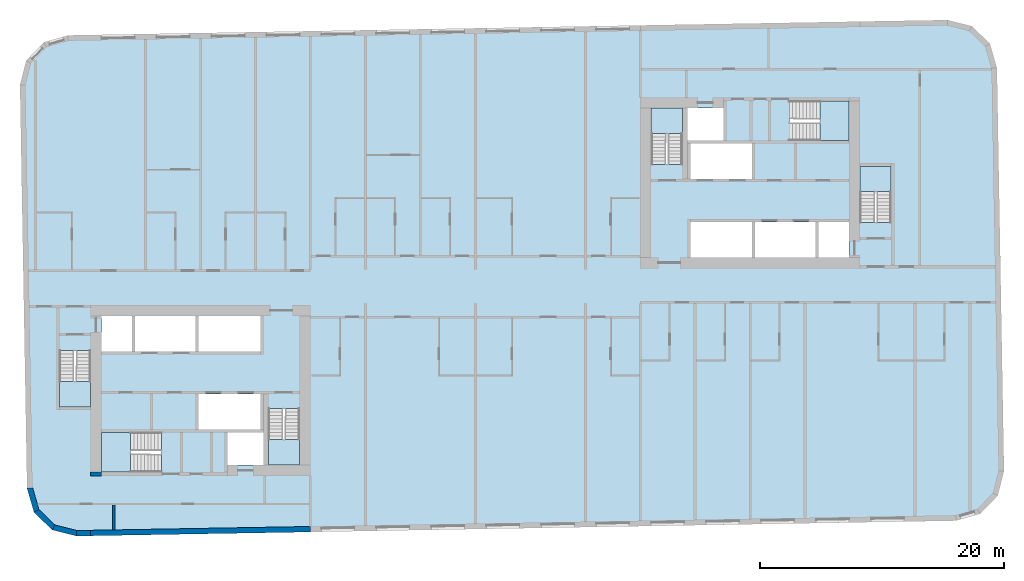
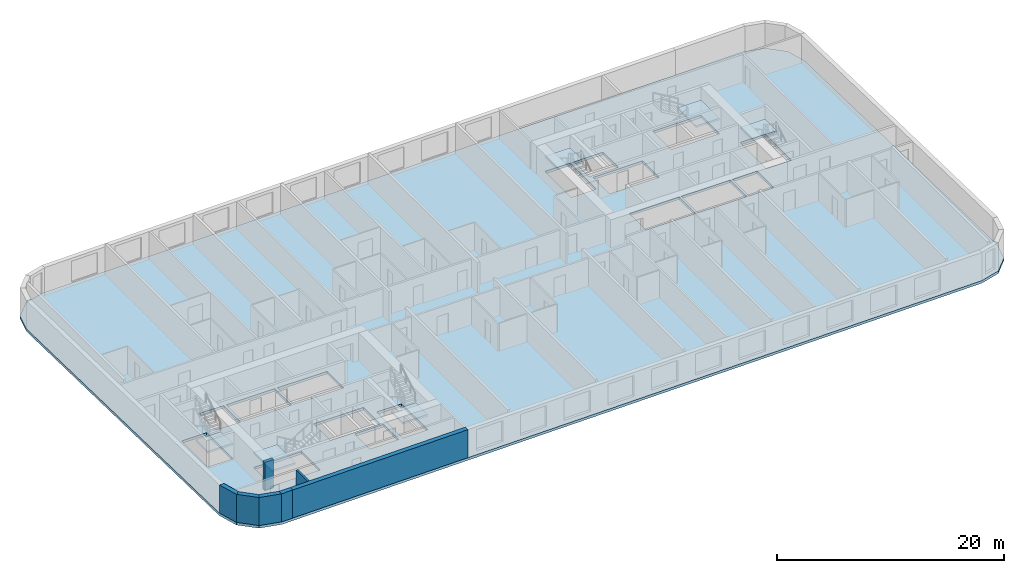
# One storey, part 1 of 11: 7 slabs, 7 walls, 6 elements without a shape of their own.
"""IFC4 building model written with IfcOpenShell, lengths in metres."""

from ifc_helpers import new_model, si_unit, direction, frame, frame_2d, origin, place, context, subcontext, project, spatial, polyline, rectangle, outline, extrude, material, layer, layer_set, type_object, element, aggregate, save


model = new_model("IFC4")

# Units and contexts
model_context = context("Model", 3, precision=1e-05, world=origin(), true_north=direction((0.0, 1.0)))
body_context = subcontext(model_context, "Body", "Model", "MODEL_VIEW")
ifc_project = project(units=[si_unit("LENGTHUNIT", "METRE"), si_unit("AREAUNIT", "SQUARE_METRE"), si_unit("VOLUMEUNIT", "CUBIC_METRE"), si_unit("PLANEANGLEUNIT", "RADIAN"), si_unit("MASSUNIT", "GRAM", prefix="KILO")], contexts=[model_context])

# Site, building, storey
site_placement = place(None, origin())
site = spatial("IfcSite", under=ifc_project, at=site_placement, CompositionType="ELEMENT")
building_placement = place(site_placement, origin())
building = spatial("IfcBuilding", under=site, at=building_placement, Name="Kajstack Hotel Tower", CompositionType="ELEMENT")
storey_placement = place(building_placement, frame((0.0, 0.0, 250.699951171875)))
storey = spatial("IfcBuildingStorey", under=building, at=storey_placement, Name="L62", CompositionType="ELEMENT", Elevation=250.699951171875)

# Slab
ifc_material_1 = material(Name="Concrete C40/50", Category="concrete")
ifc_layer_1 = layer(ifc_material_1, 0.280029296875)
ifc_layer_set_1 = layer_set([ifc_layer_1], Name="RC slab 280 C40/50 guest")
slab_type_1 = type_object("IfcSlabType", Name="RC slab 280 C40/50 guest", PredefinedType="FLOOR", material=ifc_layer_set_1)
slab_1_placement = place(storey_placement, frame((0.0, 0.0, -0.280029296875)))
element("IfcSlab", 1, at=slab_1_placement, inside=storey, type_object=slab_type_1, Name="S-slab-L62", PredefinedType="FLOOR", context=body_context, shape_type="SweptSolid", body=[
    extrude(outline(polyline([(-37.281982421875, 16.49951171875), (-36.705810546875, -16.49560546875), (-36.13525390625, -18.48583984375), (-34.645751953125, -19.92431640625), (-32.63671875, -20.42529296875), (39.352294921875, -19.168701171875), (41.342529296875, -18.597900390625), (42.781005859375, -17.1083984375), (43.281982421875, -15.099365234375), (42.705810546875, 17.8955078125), (42.13525390625, 19.885986328125), (40.645751953125, 21.32421875), (38.63671875, 21.8251953125), (-33.352294921875, 20.568603515625), (-35.342529296875, 19.997802734375), (-36.781005859375, 18.50830078125), (-37.281982421875, 16.49951171875)]), holes=[polyline([(-22.64990234375, -11.699951171875), (-22.64990234375, -8.800048828125), (-17.60009765625, -8.800048828125), (-17.60009765625, -11.699951171875), (-22.64990234375, -11.699951171875)]), polyline([(-27.85009765625, -5.300048828125), (-27.85009765625, -2.39990234375), (-22.89990234375, -2.39990234375), (-22.89990234375, -5.300048828125), (-27.85009765625, -5.300048828125)]), polyline([(-22.64990234375, -5.300048828125), (-22.64990234375, -2.39990234375), (-17.60009765625, -2.39990234375), (-17.60009765625, -5.300048828125), (-22.64990234375, -5.300048828125)]), polyline([(-20.300048828125, -14.60009765625), (-17.35009765625, -14.60009765625), (-17.35009765625, -11.949951171875), (-20.300048828125, -11.949951171875), (-20.300048828125, -14.60009765625)]), polyline([(-30.60009765625, -5.300048828125), (-28.10009765625, -5.300048828125), (-28.10009765625, -2.39990234375), (-30.60009765625, -2.39990234375), (-30.60009765625, -5.300048828125)]), polyline([(17.60009765625, 8.800048828125), (17.60009765625, 11.699951171875), (22.64990234375, 11.699951171875), (22.64990234375, 8.800048828125), (17.60009765625, 8.800048828125)]), polyline([(22.89990234375, 2.39990234375), (22.89990234375, 5.300048828125), (27.85009765625, 5.300048828125), (27.85009765625, 2.39990234375), (22.89990234375, 2.39990234375)]), polyline([(17.60009765625, 2.39990234375), (17.60009765625, 5.300048828125), (22.64990234375, 5.300048828125), (22.64990234375, 2.39990234375), (17.60009765625, 2.39990234375)]), polyline([(20.300048828125, 14.60009765625), (17.35009765625, 14.60009765625), (17.35009765625, 11.949951171875), (20.300048828125, 11.949951171875), (20.300048828125, 14.60009765625)]), polyline([(30.60009765625, 5.300048828125), (28.10009765625, 5.300048828125), (28.10009765625, 2.39990234375), (30.60009765625, 2.39990234375), (30.60009765625, 5.300048828125)]), polyline([(-34.050048828125, -9.85009765625), (-31.5, -9.85009765625), (-31.5, -5.25), (-34.050048828125, -5.25), (-34.050048828125, -9.85009765625)]), polyline([(-16.949951171875, -14.60009765625), (-14.39990234375, -14.60009765625), (-14.39990234375, -10.0), (-16.949951171875, -10.0), (-16.949951171875, -14.60009765625)]), polyline([(-30.60009765625, -15.199951171875), (-25.699951171875, -15.199951171875), (-25.699951171875, -11.949951171875), (-30.60009765625, -11.949951171875), (-30.60009765625, -15.199951171875)]), polyline([(34.050048828125, 9.85009765625), (31.5, 9.85009765625), (31.5, 5.25), (34.050048828125, 5.25), (34.050048828125, 9.85009765625)]), polyline([(16.949951171875, 14.60009765625), (14.39990234375, 14.60009765625), (14.39990234375, 10.0), (16.949951171875, 10.0), (16.949951171875, 14.60009765625)]), polyline([(30.60009765625, 15.199951171875), (25.699951171875, 15.199951171875), (25.699951171875, 11.949951171875), (30.60009765625, 11.949951171875), (30.60009765625, 15.199951171875)])]), origin(), (0.0, 0.0, 1.0), 0.280029296875),
])

# Stair, slab
stair_type_1 = type_object("IfcStairType", Name="Exit stair 1200", PredefinedType="HALF_TURN_STAIR", material=ifc_material_1)
stair_1_placement = place(storey_placement, origin())
stair_1 = element("IfcStair", 2, at=stair_1_placement, inside=storey, type_object=stair_type_1, Name="L62 stair W1", PredefinedType="HALF_TURN_STAIR")
ifc_layer_2 = layer(ifc_material_1, 0.199951171875)
ifc_layer_set_2 = layer_set([ifc_layer_2], Name="Stair landing 200")
slab_type_2 = type_object("IfcSlabType", Name="Stair landing 200", PredefinedType="LANDING", material=ifc_layer_set_2)
slab_2_placement = place(storey_placement, frame((0.0, 0.0, 1.449951171875)))
slab_2 = element("IfcSlab", 3, at=slab_2_placement, type_object=slab_type_2, Name="W1 landing 1", PredefinedType="LANDING", context=body_context, shape_type="SweptSolid", body=[
    extrude(outline(polyline([(-34.050048828125, -7.77001953125), (-34.050048828125, -9.85009765625), (-31.5, -9.85009765625), (-31.5, -7.77001953125), (-34.050048828125, -7.77001953125)])), origin(), (0.0, 0.0, 1.0), 0.2001953125),
])
aggregate(stair_1, [slab_2])

stair_2_placement = place(storey_placement, origin())
stair_2 = element("IfcStair", 4, at=stair_2_placement, inside=storey, type_object=stair_type_1, Name="L62 stair W2", PredefinedType="HALF_TURN_STAIR")
slab_3_placement = place(storey_placement, frame((0.0, 0.0, 1.449951171875)))
slab_3 = element("IfcSlab", 5, at=slab_3_placement, type_object=slab_type_2, Name="W2 landing 1", PredefinedType="LANDING", context=body_context, shape_type="SweptSolid", body=[
    extrude(outline(polyline([(-16.949951171875, -12.52001953125), (-16.949951171875, -14.60009765625), (-14.39990234375, -14.60009765625), (-14.39990234375, -12.52001953125), (-16.949951171875, -12.52001953125)])), origin(), (0.0, 0.0, 1.0), 0.2001953125),
])
aggregate(stair_2, [slab_3])

stair_type_2 = type_object("IfcStairType", Name="Exit stair 1500", PredefinedType="HALF_TURN_STAIR", material=ifc_material_1)
stair_3_placement = place(storey_placement, origin())
stair_3 = element("IfcStair", 6, at=stair_3_placement, inside=storey, type_object=stair_type_2, Name="L62 stair W3", PredefinedType="HALF_TURN_STAIR")
slab_4_placement = place(storey_placement, frame((0.0, 0.0, 1.449951171875)))
slab_4 = element("IfcSlab", 7, at=slab_4_placement, type_object=slab_type_2, Name="W3 landing 1", PredefinedType="LANDING", context=body_context, shape_type="SweptSolid", body=[
    extrude(outline(polyline([(-28.219970703125, -11.949951171875), (-30.60009765625, -11.949951171875), (-30.60009765625, -15.199951171875), (-28.219970703125, -15.199951171875), (-28.219970703125, -11.949951171875)])), origin(), (0.0, 0.0, 1.0), 0.2001953125),
])
aggregate(stair_3, [slab_4])

stair_4_placement = place(storey_placement, origin())
stair_4 = element("IfcStair", 8, at=stair_4_placement, inside=storey, type_object=stair_type_1, Name="L62 stair E1", PredefinedType="HALF_TURN_STAIR")
slab_5_placement = place(storey_placement, frame((0.0, 0.0, 1.449951171875)))
slab_5 = element("IfcSlab", 9, at=slab_5_placement, type_object=slab_type_2, Name="E1 landing 1", PredefinedType="LANDING", context=body_context, shape_type="SweptSolid", body=[
    extrude(outline(polyline([(34.050048828125, 7.77001953125), (34.050048828125, 9.85009765625), (31.5, 9.85009765625), (31.5, 7.77001953125), (34.050048828125, 7.77001953125)])), origin(), (0.0, 0.0, 1.0), 0.2001953125),
])
aggregate(stair_4, [slab_5])

stair_5_placement = place(storey_placement, origin())
stair_5 = element("IfcStair", 10, at=stair_5_placement, inside=storey, type_object=stair_type_1, Name="L62 stair E2", PredefinedType="HALF_TURN_STAIR")
slab_6_placement = place(storey_placement, frame((0.0, 0.0, 1.449951171875)))
slab_6 = element("IfcSlab", 11, at=slab_6_placement, type_object=slab_type_2, Name="E2 landing 1", PredefinedType="LANDING", context=body_context, shape_type="SweptSolid", body=[
    extrude(outline(polyline([(16.949951171875, 12.52001953125), (16.949951171875, 14.60009765625), (14.39990234375, 14.60009765625), (14.39990234375, 12.52001953125), (16.949951171875, 12.52001953125)])), origin(), (0.0, 0.0, 1.0), 0.2001953125),
])
aggregate(stair_5, [slab_6])

stair_6_placement = place(storey_placement, origin())
stair_6 = element("IfcStair", 12, at=stair_6_placement, inside=storey, type_object=stair_type_2, Name="L62 stair E3", PredefinedType="HALF_TURN_STAIR")
slab_7_placement = place(storey_placement, frame((0.0, 0.0, 1.449951171875)))
slab_7 = element("IfcSlab", 13, at=slab_7_placement, type_object=slab_type_2, Name="E3 landing 1", PredefinedType="LANDING", context=body_context, shape_type="SweptSolid", body=[
    extrude(outline(polyline([(28.219970703125, 11.949951171875), (30.60009765625, 11.949951171875), (30.60009765625, 15.199951171875), (28.219970703125, 15.199951171875), (28.219970703125, 11.949951171875)])), origin(), (0.0, 0.0, 1.0), 0.2001953125),
])
aggregate(stair_6, [slab_7])

# Walls
ifc_material_2 = material(Name="Concrete C60/75", Category="concrete")
ifc_layer_3 = layer(ifc_material_2, 0.89990234375)
ifc_layer_set_3 = layer_set([ifc_layer_3], Name="Core wall 900")
wall_type_1 = type_object("IfcWallType", Name="Core wall 900", PredefinedType="SHEAR", material=ifc_layer_set_3)
wall_1_placement = place(storey_placement, frame((-31.5, -15.35009765625, 0.0), z_axis=(0.0, 0.0, 1.0), x_axis=(1.0, 0.0, 0.0)))
element("IfcWall", 14, at=wall_1_placement, inside=storey, type_object=wall_type_1, Name="Core wall W RSW", PredefinedType="SHEAR", context=body_context, shape_type="SweptSolid", body=[
    extrude(rectangle(XDim=0.89990234375, YDim=0.300048828125, at=frame_2d((0.449951171875, 0.0))), origin(), (0.0, 0.0, 1.0), 3.02001953125),
])
ifc_layer_4 = layer(ifc_material_1, 0.449951171875)
ifc_layer_set_4 = layer_set([ifc_layer_4], Name="EW-CORE")
wall_type_2 = type_object("IfcWallType", Name="EW-CORE", PredefinedType="SOLIDWALL", material=ifc_layer_set_4)
wall_2_placement = place(storey_placement, frame((-31.50390625, -20.180419921875, 0.0), z_axis=(0.0, 0.0, 1.0), x_axis=(0.999847677887, 0.017453395744, 0.0)))
element("IfcWall", 15, at=wall_2_placement, inside=storey, type_object=wall_type_2, Name="E-wall-L62-04-01", PredefinedType="SOLIDWALL", context=body_context, shape_type="SweptSolid", body=[
    extrude(rectangle(XDim=18.002685546875, YDim=0.449951171875, at=frame_2d((9.00146484375, 0.0))), origin(), (0.0, 0.0, 1.0), 3.02001953125),
])
ifc_material_3 = material(Name="Terracotta-faced brick masonry", Category="masonry")
ifc_layer_5 = layer(ifc_material_3, 0.449951171875)
ifc_layer_set_5 = layer_set([ifc_layer_5], Name="EW-TERRA")
wall_type_3 = type_object("IfcWallType", Name="EW-TERRA", PredefinedType="SOLIDWALL", material=ifc_layer_set_5)
wall_3_placement = place(storey_placement, frame((-36.489501953125, -16.43359375, 0.0), z_axis=(0.0, 0.0, 1.0), x_axis=(0.275577603096, -0.961278827745, 0.0)))
element("IfcWall", 16, at=wall_3_placement, inside=storey, type_object=wall_type_3, Name="E-wall-L62-01-00", PredefinedType="SOLIDWALL", context=body_context, shape_type="SweptSolid", body=[
    extrude(outline(polyline([(0.0, -0.22509765625), (2.070556640625, -0.22509765625), (1.949951171875, 0.22509765625), (0.12060546875, 0.224853515625), (0.0, -0.22509765625)])), origin(), (0.0, 0.0, 1.0), 3.02001953125),
])
wall_4_placement = place(storey_placement, frame((-35.97900390625, -18.323974609375, 0.0), z_axis=(0.0, 0.0, 1.0), x_axis=(0.719320193998, -0.694678672846, 0.0)))
element("IfcWall", 17, at=wall_4_placement, inside=storey, type_object=wall_type_3, Name="E-wall-L62-02-00", PredefinedType="SOLIDWALL", context=body_context, shape_type="SweptSolid", body=[
    extrude(outline(polyline([(0.000244140625, -0.22509765625), (2.07080078125, -0.22509765625), (1.9501953125, 0.22509765625), (0.12060546875, 0.22509765625), (0.000244140625, -0.22509765625)])), origin(), (0.0, 0.0, 1.0), 3.02001953125),
])
wall_5_placement = place(storey_placement, frame((-34.59130859375, -19.7060546875, 0.0), z_axis=(0.0, 0.0, 1.0), x_axis=(0.970315655375, -0.241841950319, 0.0)))
element("IfcWall", 18, at=wall_5_placement, inside=storey, type_object=wall_type_3, Name="E-wall-L62-03-00", PredefinedType="SOLIDWALL", context=body_context, shape_type="SweptSolid", body=[
    extrude(outline(polyline([(0.0, -0.224853515625), (2.070556640625, -0.22509765625), (1.949951171875, 0.224853515625), (0.12060546875, 0.22509765625), (0.0, -0.224853515625)])), origin(), (0.0, 0.0, 1.0), 3.02001953125),
])
wall_6_placement = place(storey_placement, frame((-32.640625, -20.2001953125, 0.0), z_axis=(0.0, 0.0, 1.0), x_axis=(0.99984870815, 0.017394275206, 0.0)))
element("IfcWall", 19, at=wall_6_placement, inside=storey, type_object=wall_type_3, Name="E-wall-L62-04-00", PredefinedType="SOLIDWALL", context=body_context, shape_type="SweptSolid", body=[
    extrude(rectangle(XDim=1.136962890625, YDim=0.449951171875, at=frame_2d((0.568359375, 0.0))), origin(), (0.0, 0.0, 1.0), 3.02001953125),
])
ifc_material_4 = material(Name="Gypsum board on steel studs, mineral wool", Category="steel")
ifc_layer_6 = layer(ifc_material_4, 0.199951171875)
ifc_layer_set_6 = layer_set([ifc_layer_6], Name="Service partition 200")
wall_type_4 = type_object("IfcWallType", Name="Service partition 200", PredefinedType="PARTITIONING", material=ifc_layer_set_6)
wall_7_placement = place(storey_placement, frame((-29.60009765625, -19.92236328125, 0.0), z_axis=(0.0, 0.0, 1.0), x_axis=(0.0, 1.0, 0.0)))
element("IfcWall", 20, at=wall_7_placement, inside=storey, type_object=wall_type_4, Name="Partition W SLP0", PredefinedType="PARTITIONING", context=body_context, shape_type="SweptSolid", body=[
    extrude(rectangle(XDim=2.0224609375, YDim=0.199951171875, at=frame_2d((1.01123046875, 0.0))), origin(), (0.0, 0.0, 1.0), 3.02001953125),
])

save(model, "model.ifc")
